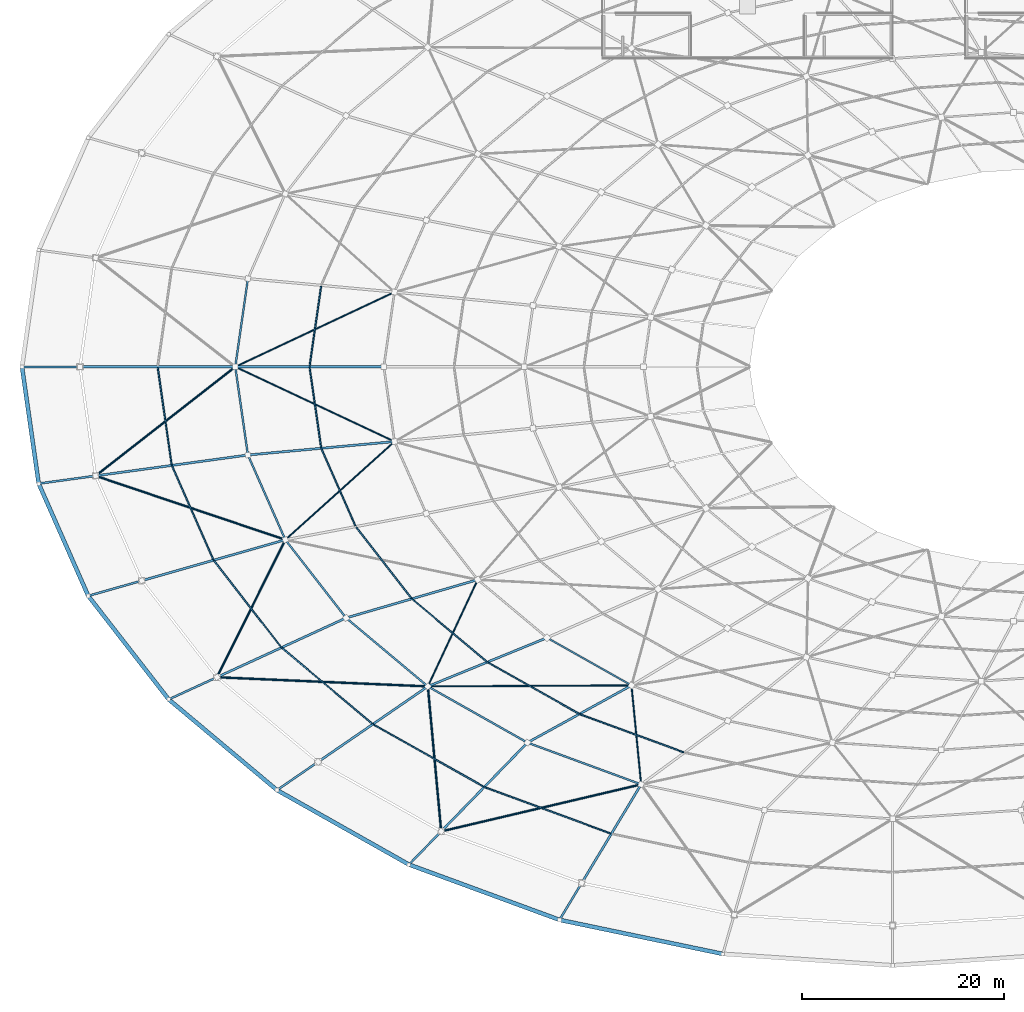
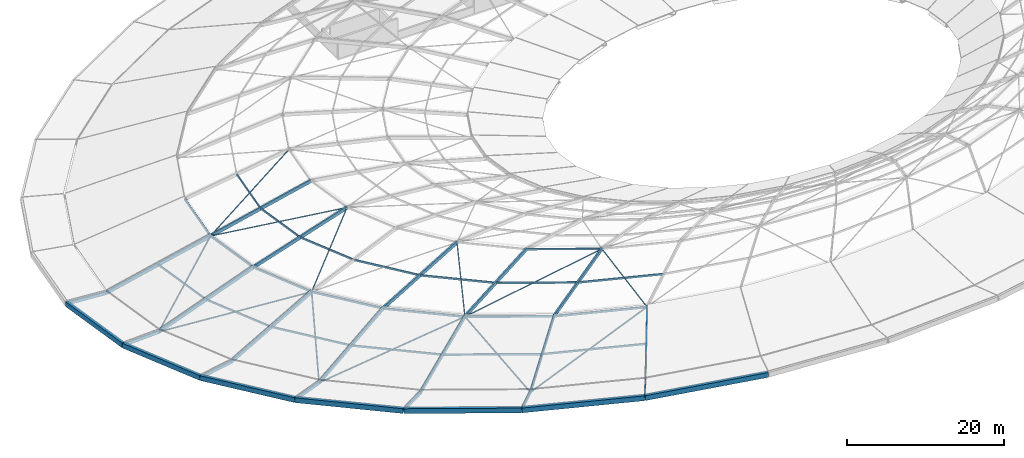
# One storey, part 1 of 30: 52 members, 7 beams.
"""IFC4 building model written with IfcOpenShell, lengths in metres."""

from ifc_helpers import new_model, si_unit, direction, frame, origin, origin_2d, place, context, subcontext, project, spatial, rectangle, hollow_rectangle, hollow_circle, extrude, material, material_profile, profile_set, type_object, element, save


model = new_model("IFC4")

# Units and contexts
model_context = context("Model", 3, precision=1e-05, world=origin(), true_north=direction((0.0, 1.0)))
body_context = subcontext(model_context, "Body", "Model", "MODEL_VIEW")
ifc_project = project(units=[si_unit("LENGTHUNIT", "METRE"), si_unit("AREAUNIT", "SQUARE_METRE"), si_unit("VOLUMEUNIT", "CUBIC_METRE"), si_unit("PLANEANGLEUNIT", "RADIAN"), si_unit("MASSUNIT", "GRAM", prefix="KILO")], contexts=[model_context])

# Site, building, storey
site_placement = place(None, origin())
site = spatial("IfcSite", under=ifc_project, at=site_placement, CompositionType="ELEMENT")
building_placement = place(site_placement, origin())
building = spatial("IfcBuilding", under=site, at=building_placement, Name="Namkhue Oval Health Centre", CompositionType="ELEMENT")
storey_placement = place(building_placement, frame((0.0, 0.0, 26.39990234375)))
storey = spatial("IfcBuildingStorey", under=building, at=storey_placement, Name="RF", CompositionType="ELEMENT", Elevation=26.39990234375)

# Beams
ifc_material_1 = material(Name="Precast architectural concrete C35/45 (TCVN B40)", Category="concrete")
ifc_material_profile_1 = material_profile(ifc_material_1, rectangle(XDim=0.39990234375, YDim=0.75, at=origin_2d()), Name="RC 400x750")
ifc_profile_set_1 = profile_set([ifc_material_profile_1], Name="Precast architectural concrete C35/45 (TCVN B40)")
beam_type = type_object("IfcBeamType", Name="CONCRETE EDGE BAND 400X750", PredefinedType="SPANDREL", material=ifc_profile_set_1)
beam_1_placement = place(storey_placement, frame((0.005615234375, 59.3603515625, 0.7001953125), z_axis=(0.141824096409, -0.989891875751, 0.0), x_axis=(0.989891875751, 0.141824096409, 0.0)))
element("IfcBeam", 1, at=beam_1_placement, inside=storey, type_object=beam_type, Name="Elliptical Roof Concrete Fascia Band 17", PredefinedType="SPANDREL", context=body_context, shape_type="SweptSolid", body=[
    extrude(rectangle(XDim=0.39990234375, YDim=0.75, at=origin_2d()), origin(), (0.0, 0.0, 1.0), 11.62646484375),
])
beam_2_placement = place(storey_placement, frame((1.67626953125, 47.77490234375, 0.7001953125), z_axis=(0.403693857048, -0.914894130368, 0.0), x_axis=(0.914894130368, 0.403693857048, 0.0)))
element("IfcBeam", 2, at=beam_2_placement, inside=storey, type_object=beam_type, Name="Elliptical Roof Concrete Fascia Band 18", PredefinedType="SPANDREL", context=body_context, shape_type="SweptSolid", body=[
    extrude(rectangle(XDim=0.39990234375, YDim=0.75, at=origin_2d()), origin(), (0.0, 0.0, 1.0), 12.099609375),
])
beam_3_placement = place(storey_placement, frame((6.601318359375, 36.636962890625, 0.7001953125), z_axis=(0.613799406543, -0.789462024753, 0.0), x_axis=(0.789462024753, 0.613799406543, 0.0)))
element("IfcBeam", 3, at=beam_3_placement, inside=storey, type_object=beam_type, Name="Elliptical Roof Concrete Fascia Band 19", PredefinedType="SPANDREL", context=body_context, shape_type="SweptSolid", body=[
    extrude(rectangle(XDim=0.39990234375, YDim=0.75, at=origin_2d()), origin(), (0.0, 0.0, 1.0), 12.92822265625),
])
beam_4_placement = place(storey_placement, frame((14.591796875, 26.373291015625, 0.7001953125), z_axis=(0.766570355171, -0.642160330893, 0.0), x_axis=(0.642160330893, 0.766570355171, 0.0)))
element("IfcBeam", 4, at=beam_4_placement, inside=storey, type_object=beam_type, Name="Elliptical Roof Concrete Fascia Band 20", PredefinedType="SPANDREL", context=body_context, shape_type="SweptSolid", body=[
    extrude(rectangle(XDim=0.39990234375, YDim=0.75, at=origin_2d()), origin(), (0.0, 0.0, 1.0), 13.936767578125),
])
beam_5_placement = place(storey_placement, frame((25.3408203125, 17.378173828125, 0.7001953125), z_axis=(0.870942993464, -0.491384067849, 0.0), x_axis=(0.491384067849, 0.870942993464, 0.0)))
element("IfcBeam", 5, at=beam_5_placement, inside=storey, type_object=beam_type, Name="Elliptical Roof Concrete Fascia Band 21", PredefinedType="SPANDREL", context=body_context, shape_type="SweptSolid", body=[
    extrude(rectangle(XDim=0.39990234375, YDim=0.75, at=origin_2d()), origin(), (0.0, 0.0, 1.0), 14.952880859375),
])
beam_6_placement = place(storey_placement, frame((38.436279296875, 9.996826171875, 0.7001953125), z_axis=(0.938632884907, -0.344917826982, 0.0), x_axis=(0.344917826982, 0.938632884907, 0.0)))
element("IfcBeam", 6, at=beam_6_placement, inside=storey, type_object=beam_type, Name="Elliptical Roof Concrete Fascia Band 22", PredefinedType="SPANDREL", context=body_context, shape_type="SweptSolid", body=[
    extrude(rectangle(XDim=0.39990234375, YDim=0.75, at=origin_2d()), origin(), (0.0, 0.0, 1.0), 15.833984375),
])
beam_7_placement = place(storey_placement, frame((53.375244140625, 4.513427734375, 0.7001953125), z_axis=(0.978935895164, -0.204167855351, 0.0), x_axis=(0.204167855351, 0.978935895164, 0.0)))
element("IfcBeam", 7, at=beam_7_placement, inside=storey, type_object=beam_type, Name="Elliptical Roof Concrete Fascia Band 23", PredefinedType="SPANDREL", context=body_context, shape_type="SweptSolid", body=[
    extrude(rectangle(XDim=0.39990234375, YDim=0.75, at=origin_2d()), origin(), (0.0, 0.0, 1.0), 16.476806640625),
])

# Members
ifc_material_2 = material(Name="Structural steel EN 10025-2 S355JR (TCVN 5575:2024)", Category="steel")
ifc_material_profile_2 = material_profile(ifc_material_2, hollow_circle(Radius=0.084228515625, WallThickness=0.008056640625, at=origin_2d()), Name="CHS 168.3x8")
ifc_profile_set_2 = profile_set([ifc_material_profile_2], Name="Structural steel EN 10025-2 S355JR (TCVN 5575:2024)")
member_type_1 = type_object("IfcMemberType", Name="DIAGONAL BRACE CHS 168", PredefinedType="BRACE", material=ifc_profile_set_2)
for number, where, z_axis, x_axis, name in (
    (8, (21.194580078125, 59.41259765625, 3.785888671875), (0.888516785702, 0.417103604899, 0.191213243019), (-0.4249444594, 0.905219424463, 0.0), "Gridshell Diagonal Brace K2-16"),
    (9, (21.194580078125, 59.387451171875, 3.785888671875), (0.888516785702, -0.417103604899, 0.191213243019), (0.4249444594, 0.905219424463, 0.0), "Gridshell Diagonal Brace K2-17"),
):
    element("IfcMember", number, at=place(storey_placement, frame(where, z_axis=z_axis, x_axis=x_axis)), inside=storey, type_object=member_type_1, Name=name, PredefinedType="BRACE", context=body_context, shape_type="SweptSolid", body=[
        extrude(hollow_circle(Radius=0.084228515625, WallThickness=0.008056640625, at=origin_2d()), origin(), (0.0, 0.0, 1.0), 17.720703125),
    ])
member_1_placement = place(storey_placement, frame((26.1552734375, 42.25732421875, 3.786865234375), z_axis=(0.723984856612, 0.651314430221, 0.227234329232), x_axis=(-0.668810437782, 0.743432981723, 0.0)))
element("IfcMember", 10, at=member_1_placement, inside=storey, type_object=member_type_1, Name="Gridshell Diagonal Brace K2-18", PredefinedType="BRACE", context=body_context, shape_type="SweptSolid", body=[
    extrude(hollow_circle(Radius=0.084228515625, WallThickness=0.008056640625, at=origin_2d()), origin(), (0.0, 0.0, 1.0), 14.903076171875),
])
member_2_placement = place(storey_placement, frame((40.2861328125, 27.714599609375, 3.78857421875), z_axis=(0.406515465719, 0.86992133198, 0.279252667483), x_axis=(-0.905962649367, 0.423357624181, 0.0)))
element("IfcMember", 11, at=member_2_placement, inside=storey, type_object=member_type_1, Name="Gridshell Diagonal Brace K2-20", PredefinedType="BRACE", context=body_context, shape_type="SweptSolid", body=[
    extrude(hollow_circle(Radius=0.084228515625, WallThickness=0.008056640625, at=origin_2d()), origin(), (0.0, 0.0, 1.0), 12.11474609375),
])
member_3_placement = place(storey_placement, frame((40.3037109375, 27.6884765625, 3.78515625), z_axis=(0.986124560537, 0.00500722498, 0.165931548548), x_axis=(-0.005077614564, 0.999987108832, 0.0)))
element("IfcMember", 12, at=member_3_placement, inside=storey, type_object=member_type_1, Name="Gridshell Diagonal Brace K2-21", PredefinedType="BRACE", context=body_context, shape_type="SweptSolid", body=[
    extrude(hollow_circle(Radius=0.084228515625, WallThickness=0.008056640625, at=origin_2d()), origin(), (0.0, 0.0, 1.0), 20.429443359375),
])
member_4_placement = place(storey_placement, frame((61.43408203125, 17.9951171875, 3.789794921875), z_axis=(-0.091730699509, 0.941015852808, 0.325691024641), x_axis=(-0.995282370952, -0.097020627042, 0.0)))
element("IfcMember", 13, at=member_4_placement, inside=storey, type_object=member_type_1, Name="Gridshell Diagonal Brace K2-22", PredefinedType="BRACE", context=body_context, shape_type="SweptSolid", body=[
    extrude(hollow_circle(Radius=0.084228515625, WallThickness=0.008056640625, at=origin_2d()), origin(), (0.0, 0.0, 1.0), 10.3798828125),
])
ifc_material_profile_3 = material_profile(ifc_material_2, hollow_circle(Radius=0.109619140625, WallThickness=0.010009765625, at=origin_2d()), Name="CHS 219.1x10")
ifc_profile_set_3 = profile_set([ifc_material_profile_3], Name="Structural steel EN 10025-2 S355JR (TCVN 5575:2024)")
member_type_2 = type_object("IfcMemberType", Name="DIAGONAL BRACE CHS 219", PredefinedType="BRACE", material=ifc_profile_set_3)
member_5_placement = place(storey_placement, frame((7.332763671875, 48.602294921875, 0.285888671875), z_axis=(0.773156638641, 0.603407661928, 0.195263938433), x_axis=(-0.615250790527, 0.788331443465, 0.0)))
element("IfcMember", 14, at=member_5_placement, inside=storey, type_object=member_type_2, Name="Gridshell Diagonal Brace K1-17", PredefinedType="BRACE", context=body_context, shape_type="SweptSolid", body=[
    extrude(hollow_circle(Radius=0.109619140625, WallThickness=0.010009765625, at=origin_2d()), origin(), (0.0, 0.0, 1.0), 17.864501953125),
])
member_6_placement = place(storey_placement, frame((7.33740234375, 48.57470703125, 0.285400390625), z_axis=(0.933223331811, -0.314623267822, 0.173511994713), x_axis=(0.319469052348, 0.947596709889, 0.0)))
element("IfcMember", 15, at=member_6_placement, inside=storey, type_object=member_type_2, Name="Gridshell Diagonal Brace K1-18", PredefinedType="BRACE", context=body_context, shape_type="SweptSolid", body=[
    extrude(hollow_circle(Radius=0.109619140625, WallThickness=0.010009765625, at=origin_2d()), origin(), (0.0, 0.0, 1.0), 20.111083984375),
])
member_7_placement = place(storey_placement, frame((19.36328125, 28.62548828125, 0.286865234375), z_axis=(0.434016963234, 0.872628440892, 0.223939455594), x_axis=(-0.895368051566, 0.445326904908, 0.0)))
element("IfcMember", 16, at=member_7_placement, inside=storey, type_object=member_type_2, Name="Gridshell Diagonal Brace K1-19", PredefinedType="BRACE", context=body_context, shape_type="SweptSolid", body=[
    extrude(hollow_circle(Radius=0.109619140625, WallThickness=0.010009765625, at=origin_2d()), origin(), (0.0, 0.0, 1.0), 15.5693359375),
])
member_8_placement = place(storey_placement, frame((19.3798828125, 28.597900390625, 0.284912109375), z_axis=(0.985387796484, -0.042892577935, 0.164836638216), x_axis=(0.043487447856, 0.999053973456, 0.0)))
element("IfcMember", 17, at=member_8_placement, inside=storey, type_object=member_type_2, Name="Gridshell Diagonal Brace K1-20", PredefinedType="BRACE", context=body_context, shape_type="SweptSolid", body=[
    extrude(hollow_circle(Radius=0.109619140625, WallThickness=0.010009765625, at=origin_2d()), origin(), (0.0, 0.0, 1.0), 21.173828125),
])
member_9_placement = place(storey_placement, frame((41.59619140625, 13.33251953125, 0.287109375), z_axis=(-0.089139339158, 0.967784403418, 0.235472985106), x_axis=(-0.995784986409, -0.091718377893, 0.0)))
element("IfcMember", 18, at=member_9_placement, inside=storey, type_object=member_type_2, Name="Gridshell Diagonal Brace K1-21", PredefinedType="BRACE", context=body_context, shape_type="SweptSolid", body=[
    extrude(hollow_circle(Radius=0.109619140625, WallThickness=0.010009765625, at=origin_2d()), origin(), (0.0, 0.0, 1.0), 14.803466796875),
])
member_10_placement = place(storey_placement, frame((41.627685546875, 13.31005859375, 0.28515625), z_axis=(0.959417449288, 0.225537703519, 0.169265774131), x_axis=(-0.228839759926, 0.973464105284, 0.0)))
element("IfcMember", 19, at=member_10_placement, inside=storey, type_object=member_type_2, Name="Gridshell Diagonal Brace K1-22", PredefinedType="BRACE", context=body_context, shape_type="SweptSolid", body=[
    extrude(hollow_circle(Radius=0.109619140625, WallThickness=0.010009765625, at=origin_2d()), origin(), (0.0, 0.0, 1.0), 20.616943359375),
])
ifc_material_3 = material(Name="Glulam timber GL28h", Category="wood")
ifc_material_profile_4 = material_profile(ifc_material_3, rectangle(XDim=0.219970703125, YDim=0.52001953125, at=origin_2d()), Name="GL28h 220x520")
ifc_profile_set_4 = profile_set([ifc_material_profile_4], Name="Glulam timber GL28h")
member_type_3 = type_object("IfcMemberType", Name="GRIDSHELL ARCH RIB GL28H 220X520", PredefinedType="USERDEFINED", material=ifc_profile_set_4)
member_11_placement = place(storey_placement, frame((5.760009765625, 59.39990234375, 0.300048828125), z_axis=(0.975157590278, 0.0, 0.221512243733), x_axis=(0.0, 1.0, 0.0)))
element("IfcMember", 20, at=member_11_placement, inside=storey, type_object=member_type_3, Name="Gridshell Glulam Arch Rib K1-17", ObjectType="ARCH_SEGMENT", PredefinedType="USERDEFINED", context=body_context, shape_type="SweptSolid", body=[
    extrude(rectangle(XDim=0.219970703125, YDim=0.52001953125, at=origin_2d()), origin(), (0.0, 0.0, 1.0), 15.800537109375),
])
member_12_placement = place(storey_placement, frame((21.16796875, 59.39990234375, 3.800048828125), z_axis=(0.974398269278, 0.0, 0.224828852304), x_axis=(0.0, 1.0, 0.0)))
element("IfcMember", 21, at=member_12_placement, inside=storey, type_object=member_type_3, Name="Gridshell Glulam Arch Rib K2-17", ObjectType="ARCH_SEGMENT", PredefinedType="USERDEFINED", context=body_context, shape_type="SweptSolid", body=[
    extrude(rectangle(XDim=0.219970703125, YDim=0.52001953125, at=origin_2d()), origin(), (0.0, 0.0, 1.0), 15.123291015625),
])
member_13_placement = place(storey_placement, frame((7.3095703125, 48.584228515625, 0.300048828125), z_axis=(0.965679210816, 0.132063629189, 0.223657907626), x_axis=(-0.135496054862, 0.990777885864, 0.0)))
element("IfcMember", 22, at=member_13_placement, inside=storey, type_object=member_type_3, Name="Gridshell Glulam Arch Rib K1-18", ObjectType="ARCH_SEGMENT", PredefinedType="USERDEFINED", context=body_context, shape_type="SweptSolid", body=[
    extrude(rectangle(XDim=0.219970703125, YDim=0.52001953125, at=origin_2d()), origin(), (0.0, 0.0, 1.0), 15.64892578125),
])
member_14_placement = place(storey_placement, frame((22.42138671875, 50.65087890625, 3.800048828125), z_axis=(0.969896613358, 0.088854687475, 0.226727598473), x_axis=(-0.09123049275, 0.995829803326, 0.0)))
element("IfcMember", 23, at=member_14_placement, inside=storey, type_object=member_type_3, Name="Gridshell Glulam Arch Rib K2-18", ObjectType="ARCH_SEGMENT", PredefinedType="USERDEFINED", context=body_context, shape_type="SweptSolid", body=[
    extrude(rectangle(XDim=0.219970703125, YDim=0.52001953125, at=origin_2d()), origin(), (0.0, 0.0, 1.0), 14.99658203125),
])
member_15_placement = place(storey_placement, frame((11.8984375, 38.18408203125, 0.300048828125), z_axis=(0.935951519575, 0.26652955959, 0.230123329697), x_axis=(-0.273880097908, 0.961763844179, 0.0)))
element("IfcMember", 24, at=member_15_placement, inside=storey, type_object=member_type_3, Name="Gridshell Glulam Arch Rib K1-19", ObjectType="ARCH_SEGMENT", PredefinedType="USERDEFINED", context=body_context, shape_type="SweptSolid", body=[
    extrude(rectangle(XDim=0.219970703125, YDim=0.52001953125, at=origin_2d()), origin(), (0.0, 0.0, 1.0), 15.209228515625),
])
member_16_placement = place(storey_placement, frame((19.350341796875, 28.59912109375, 0.300048828125), z_axis=(0.881933301609, 0.405143099926, 0.240941320855), x_axis=(-0.41744104465, 0.908704008048, 0.0)))
element("IfcMember", 25, at=member_16_placement, inside=storey, type_object=member_type_3, Name="Gridshell Glulam Arch Rib K1-20", ObjectType="ARCH_SEGMENT", PredefinedType="USERDEFINED", context=body_context, shape_type="SweptSolid", body=[
    extrude(rectangle(XDim=0.219970703125, YDim=0.52001953125, at=origin_2d()), origin(), (0.0, 0.0, 1.0), 14.5263671875),
])
member_17_placement = place(storey_placement, frame((32.16162109375, 34.484375, 3.800048828125), z_axis=(0.931617810783, 0.270691567638, 0.242516658893), x_axis=(-0.279021117685, 0.960284965979, 0.0)))
element("IfcMember", 26, at=member_17_placement, inside=storey, type_object=member_type_3, Name="Gridshell Glulam Arch Rib K2-20", ObjectType="ARCH_SEGMENT", PredefinedType="USERDEFINED", context=body_context, shape_type="SweptSolid", body=[
    extrude(rectangle(XDim=0.219970703125, YDim=0.52001953125, at=origin_2d()), origin(), (0.0, 0.0, 1.0), 14.020263671875),
])
member_18_placement = place(storey_placement, frame((29.37890625, 20.197998046875, 0.300048828125), z_axis=(0.796597676248, 0.547672059001, 0.255905173816), x_axis=(-0.566536659632, 0.824036536382, 0.0)))
element("IfcMember", 27, at=member_18_placement, inside=storey, type_object=member_type_3, Name="Gridshell Glulam Arch Rib K1-21", ObjectType="ARCH_SEGMENT", PredefinedType="USERDEFINED", context=body_context, shape_type="SweptSolid", body=[
    extrude(rectangle(XDim=0.219970703125, YDim=0.52001953125, at=origin_2d()), origin(), (0.0, 0.0, 1.0), 13.677001953125),
])
member_19_placement = place(storey_placement, frame((40.27392578125, 27.6884765625, 3.800048828125), z_axis=(0.894612694899, 0.365387756888, 0.257215694004), x_axis=(-0.37810962685, 0.925760827689, 0.0)))
element("IfcMember", 28, at=member_19_placement, inside=storey, type_object=member_type_3, Name="Gridshell Glulam Arch Rib K2-21", ObjectType="ARCH_SEGMENT", PredefinedType="USERDEFINED", context=body_context, shape_type="SweptSolid", body=[
    extrude(rectangle(XDim=0.219970703125, YDim=0.52001953125, at=origin_2d()), origin(), (0.0, 0.0, 1.0), 13.218994140625),
])
member_20_placement = place(storey_placement, frame((41.598876953125, 13.30322265625, 0.300048828125), z_axis=(0.670263747649, 0.689667024811, 0.274054562954), x_axis=(-0.717122679811, 0.696946957882, 0.0)))
element("IfcMember", 29, at=member_20_placement, inside=storey, type_object=member_type_3, Name="Gridshell Glulam Arch Rib K1-22", ObjectType="ARCH_SEGMENT", PredefinedType="USERDEFINED", context=body_context, shape_type="SweptSolid", body=[
    extrude(rectangle(XDim=0.219970703125, YDim=0.52001953125, at=origin_2d()), origin(), (0.0, 0.0, 1.0), 12.771240234375),
])
member_21_placement = place(storey_placement, frame((50.158935546875, 22.111083984375, 3.800048828125), z_axis=(0.84172824848, 0.463237272252, 0.277317120472), x_axis=(-0.482147862589, 0.876089857606, 0.0)))
element("IfcMember", 30, at=member_21_placement, inside=storey, type_object=member_type_3, Name="Gridshell Glulam Arch Rib K2-22", ObjectType="ARCH_SEGMENT", PredefinedType="USERDEFINED", context=body_context, shape_type="SweptSolid", body=[
    extrude(rectangle(XDim=0.219970703125, YDim=0.52001953125, at=origin_2d()), origin(), (0.0, 0.0, 1.0), 12.2607421875),
])
member_22_placement = place(storey_placement, frame((55.54052734375, 8.18017578125, 0.300048828125), z_axis=(0.493424598626, 0.818989626124, 0.292896155269), x_axis=(-0.856554457361, 0.516056645705, 0.0)))
element("IfcMember", 31, at=member_22_placement, inside=storey, type_object=member_type_3, Name="Gridshell Glulam Arch Rib K1-23", ObjectType="ARCH_SEGMENT", PredefinedType="USERDEFINED", context=body_context, shape_type="SweptSolid", body=[
    extrude(rectangle(XDim=0.219970703125, YDim=0.52001953125, at=origin_2d()), origin(), (0.0, 0.0, 1.0), 11.94970703125),
])
ifc_material_profile_5 = material_profile(ifc_material_3, rectangle(XDim=0.199951171875, YDim=0.47998046875, at=origin_2d()), Name="GL28h 200x480")
ifc_profile_set_5 = profile_set([ifc_material_profile_5], Name="Glulam timber GL28h")
member_type_4 = type_object("IfcMemberType", Name="GRIDSHELL CANTILEVER RIB GL28H 200X480", PredefinedType="USERDEFINED", material=ifc_profile_set_5)
member_23_placement = place(storey_placement, frame((0.0, 59.39990234375, 0.7001953125), z_axis=(0.99759567541, 0.0, -0.069302730132), x_axis=(0.0, 1.0, 0.0)))
element("IfcMember", 32, at=member_23_placement, inside=storey, type_object=member_type_4, Name="Gridshell Glulam Arch Rib K0-17", ObjectType="ARCH_SEGMENT", PredefinedType="USERDEFINED", context=body_context, shape_type="SweptSolid", body=[
    extrude(rectangle(XDim=0.199951171875, YDim=0.47998046875, at=origin_2d()), origin(), (0.0, 0.0, 1.0), 5.77392578125),
])
member_24_placement = place(storey_placement, frame((1.66015625, 47.8115234375, 0.7001953125), z_axis=(0.988344700047, 0.135181978204, -0.070004190293), x_axis=(-0.135514436133, 0.990775371918, 0.0)))
element("IfcMember", 33, at=member_24_placement, inside=storey, type_object=member_type_4, Name="Gridshell Glulam Arch Rib K0-18", ObjectType="ARCH_SEGMENT", PredefinedType="USERDEFINED", context=body_context, shape_type="SweptSolid", body=[
    extrude(rectangle(XDim=0.199951171875, YDim=0.47998046875, at=origin_2d()), origin(), (0.0, 0.0, 1.0), 5.716064453125),
])
member_25_placement = place(storey_placement, frame((6.576904296875, 36.668701171875, 0.7001953125), z_axis=(0.959259810829, 0.273162620811, -0.072130422992), x_axis=(-0.273876010696, 0.961765008079, 0.0)))
element("IfcMember", 34, at=member_25_placement, inside=storey, type_object=member_type_4, Name="Gridshell Glulam Arch Rib K0-19", ObjectType="ARCH_SEGMENT", PredefinedType="USERDEFINED", context=body_context, shape_type="SweptSolid", body=[
    extrude(rectangle(XDim=0.199951171875, YDim=0.47998046875, at=origin_2d()), origin(), (0.0, 0.0, 1.0), 5.547607421875),
])
member_26_placement = place(storey_placement, frame((14.56103515625, 26.399169921875, 0.7001953125), z_axis=(0.906107986713, 0.4162175189, -0.075705306123), x_axis=(-0.417415402789, 0.908715786984, 0.0)))
element("IfcMember", 35, at=member_26_placement, inside=storey, type_object=member_type_4, Name="Gridshell Glulam Arch Rib K0-20", ObjectType="ARCH_SEGMENT", PredefinedType="USERDEFINED", context=body_context, shape_type="SweptSolid", body=[
    extrude(rectangle(XDim=0.199951171875, YDim=0.47998046875, at=origin_2d()), origin(), (0.0, 0.0, 1.0), 5.28564453125),
])
member_27_placement = place(storey_placement, frame((25.305908203125, 17.39794921875, 0.7001953125), z_axis=(0.821367573853, 0.564662513009, -0.08069420689), x_axis=(-0.566509955726, 0.824054895054, 0.0)))
element("IfcMember", 36, at=member_27_placement, inside=storey, type_object=member_type_4, Name="Gridshell Glulam Arch Rib K0-21", ObjectType="ARCH_SEGMENT", PredefinedType="USERDEFINED", context=body_context, shape_type="SweptSolid", body=[
    extrude(rectangle(XDim=0.199951171875, YDim=0.47998046875, at=origin_2d()), origin(), (0.0, 0.0, 1.0), 4.958740234375),
])
member_28_placement = place(storey_placement, frame((38.398681640625, 10.0107421875, 0.7001953125), z_axis=(0.694353900231, 0.714377227534, -0.086820723412), x_axis=(-0.717084975019, 0.69698575208, 0.0)))
element("IfcMember", 37, at=member_28_placement, inside=storey, type_object=member_type_4, Name="Gridshell Glulam Arch Rib K0-22", ObjectType="ARCH_SEGMENT", PredefinedType="USERDEFINED", context=body_context, shape_type="SweptSolid", body=[
    extrude(rectangle(XDim=0.199951171875, YDim=0.47998046875, at=origin_2d()), origin(), (0.0, 0.0, 1.0), 4.60888671875),
])
member_29_placement = place(storey_placement, frame((53.336181640625, 4.521484375, 0.7001953125), z_axis=(0.513817025595, 0.852814480626, -0.093271248749), x_axis=(-0.856548401679, 0.516066696834, 0.0)))
element("IfcMember", 38, at=member_29_placement, inside=storey, type_object=member_type_4, Name="Gridshell Glulam Arch Rib K0-23", ObjectType="ARCH_SEGMENT", PredefinedType="USERDEFINED", context=body_context, shape_type="SweptSolid", body=[
    extrude(rectangle(XDim=0.199951171875, YDim=0.47998046875, at=origin_2d()), origin(), (0.0, 0.0, 1.0), 4.2900390625),
])
ifc_material_profile_6 = material_profile(ifc_material_2, hollow_rectangle(XDim=0.14990234375, YDim=0.25, WallThickness=0.008056640625, at=origin_2d()), Name="RHS 150x250x8")
ifc_profile_set_6 = profile_set([ifc_material_profile_6], Name="Structural steel EN 10025-2 S355JR (TCVN 5575:2024)")
member_type_5 = type_object("IfcMemberType", Name="GRIDSHELL HOOP PURLIN RHS 150X250", PredefinedType="PURLIN", material=ifc_profile_set_6)
member_30_placement = place(storey_placement, frame((52.152099609375, 32.489013671875, 7.2001953125), z_axis=(0.870942093584, -0.491385662819, 0.0), x_axis=(0.491385662819, 0.870942093584, 0.0)))
element("IfcMember", 39, at=member_30_placement, inside=storey, type_object=member_type_5, Name="Gridshell Hoop Purlin K3-21", PredefinedType="PURLIN", context=body_context, shape_type="SweptSolid", body=[
    extrude(hollow_rectangle(XDim=0.14990234375, YDim=0.25, WallThickness=0.008056640625, at=origin_2d()), origin(), (0.0, 0.0, 1.0), 9.5009765625),
])
ifc_material_profile_7 = material_profile(ifc_material_2, hollow_rectangle(XDim=0.179931640625, YDim=0.300048828125, WallThickness=0.010009765625, at=origin_2d()), Name="RHS 180x300x10")
ifc_profile_set_7 = profile_set([ifc_material_profile_7], Name="Structural steel EN 10025-2 S355JR (TCVN 5575:2024)")
member_type_6 = type_object("IfcMemberType", Name="GRIDSHELL HOOP PURLIN RHS 180X300", PredefinedType="PURLIN", material=ifc_profile_set_7)
for number, where, z_axis, x_axis, name in (
    (40, (22.412841796875, 68.08984375, 3.79443359375), (-0.141805542277, -0.989894533867, 0.0), (0.989894533867, -0.141805542277, 0.0), "Gridshell Hoop Purlin K2-16"),
    (41, (21.176513671875, 59.340576171875, 3.79443359375), (0.141805542277, -0.989894533867, 0.0), (0.989894533867, 0.141805542277, 0.0), "Gridshell Hoop Purlin K2-17"),
):
    element("IfcMember", number, at=place(storey_placement, frame(where, z_axis=z_axis, x_axis=x_axis)), inside=storey, type_object=member_type_6, Name=name, PredefinedType="PURLIN", context=body_context, shape_type="SweptSolid", body=[
        extrude(hollow_rectangle(XDim=0.179931640625, YDim=0.300048828125, WallThickness=0.010009765625, at=origin_2d()), origin(), (0.0, 0.0, 1.0), 8.718505859375),
    ])
member_31_placement = place(storey_placement, frame((22.445556640625, 50.595947265625, 3.792724609375), z_axis=(0.403698487315, -0.914892087265, 0.0), x_axis=(0.914892087265, 0.403698487315, 0.0)))
element("IfcMember", 42, at=member_31_placement, inside=storey, type_object=member_type_6, Name="Gridshell Hoop Purlin K2-18", PredefinedType="PURLIN", context=body_context, shape_type="SweptSolid", body=[
    extrude(hollow_rectangle(XDim=0.179931640625, YDim=0.300048828125, WallThickness=0.010009765625, at=origin_2d()), origin(), (0.0, 0.0, 1.0), 9.07568359375),
])
member_32_placement = place(storey_placement, frame((26.17041015625, 42.1904296875, 3.78955078125), z_axis=(0.613785537369, -0.789472807712, 0.0), x_axis=(0.789472807712, 0.613785537369, 0.0)))
element("IfcMember", 43, at=member_32_placement, inside=storey, type_object=member_type_6, Name="Gridshell Hoop Purlin K2-19", PredefinedType="PURLIN", context=body_context, shape_type="SweptSolid", body=[
    extrude(hollow_rectangle(XDim=0.179931640625, YDim=0.300048828125, WallThickness=0.010009765625, at=origin_2d()), origin(), (0.0, 0.0, 1.0), 9.700927734375),
])
member_33_placement = place(storey_placement, frame((32.20751953125, 34.44580078125, 3.78515625), z_axis=(0.766562390279, -0.642169838758, 0.0), x_axis=(0.642169838758, 0.766562390279, 0.0)))
element("IfcMember", 44, at=member_33_placement, inside=storey, type_object=member_type_6, Name="Gridshell Hoop Purlin K2-20", PredefinedType="PURLIN", context=body_context, shape_type="SweptSolid", body=[
    extrude(hollow_rectangle(XDim=0.179931640625, YDim=0.300048828125, WallThickness=0.010009765625, at=origin_2d()), origin(), (0.0, 0.0, 1.0), 10.462890625),
])
member_34_placement = place(storey_placement, frame((40.326416015625, 27.658935546875, 3.779541015625), z_axis=(0.870931469201, -0.491404493219, 0.0), x_axis=(0.491404493219, 0.870931469201, 0.0)))
element("IfcMember", 45, at=member_34_placement, inside=storey, type_object=member_type_6, Name="Gridshell Hoop Purlin K2-21", PredefinedType="PURLIN", context=body_context, shape_type="SweptSolid", body=[
    extrude(hollow_rectangle(XDim=0.179931640625, YDim=0.300048828125, WallThickness=0.010009765625, at=origin_2d()), origin(), (0.0, 0.0, 1.0), 11.229736328125),
])
member_35_placement = place(storey_placement, frame((50.21533203125, 22.09033203125, 3.773193359375), z_axis=(0.938635726109, -0.344910095057, 0.0), x_axis=(0.344910095057, 0.938635726109, 0.0)))
element("IfcMember", 46, at=member_35_placement, inside=storey, type_object=member_type_6, Name="Gridshell Hoop Purlin K2-22", PredefinedType="PURLIN", context=body_context, shape_type="SweptSolid", body=[
    extrude(hollow_rectangle(XDim=0.179931640625, YDim=0.300048828125, WallThickness=0.010009765625, at=origin_2d()), origin(), (0.0, 0.0, 1.0), 11.895263671875),
])
ifc_material_profile_8 = material_profile(ifc_material_3, rectangle(XDim=0.139892578125, YDim=0.280029296875, at=origin_2d()), Name="GL28h 140x280")
ifc_profile_set_8 = profile_set([ifc_material_profile_8], Name="Glulam timber GL28h")
member_type_7 = type_object("IfcMemberType", Name="GRIDSHELL SUB PURLIN GL28H 140X280", PredefinedType="PURLIN", material=ifc_profile_set_8)
member_36_placement = place(storey_placement, frame((13.475341796875, 59.32080078125, 2.050048828125), z_axis=(0.141804546879, -0.98989467646, 0.0), x_axis=(0.98989467646, 0.141804546879, 0.0)))
element("IfcMember", 47, at=member_36_placement, inside=storey, type_object=member_type_7, Name="Gridshell Secondary Purlin K1-17", PredefinedType="PURLIN", context=body_context, shape_type="SweptSolid", body=[
    extrude(rectangle(XDim=0.139892578125, YDim=0.280029296875, at=origin_2d()), origin(), (0.0, 0.0, 1.0), 9.72216796875),
])
member_37_placement = place(storey_placement, frame((14.897705078125, 49.544189453125, 2.050048828125), z_axis=(0.403693059538, -0.914894482266, 0.0), x_axis=(0.914894482266, 0.403693059538, 0.0)))
element("IfcMember", 48, at=member_37_placement, inside=storey, type_object=member_type_7, Name="Gridshell Secondary Purlin K1-18", PredefinedType="PURLIN", context=body_context, shape_type="SweptSolid", body=[
    extrude(rectangle(XDim=0.139892578125, YDim=0.280029296875, at=origin_2d()), origin(), (0.0, 0.0, 1.0), 10.121337890625),
])
member_38_placement = place(storey_placement, frame((19.06494140625, 40.147705078125, 2.050048828125), z_axis=(0.613796901297, -0.789463972552, 0.0), x_axis=(0.789463972552, 0.613796901297, 0.0)))
element("IfcMember", 49, at=member_38_placement, inside=storey, type_object=member_type_7, Name="Gridshell Secondary Purlin K1-19", PredefinedType="PURLIN", context=body_context, shape_type="SweptSolid", body=[
    extrude(rectangle(XDim=0.139892578125, YDim=0.280029296875, at=origin_2d()), origin(), (0.0, 0.0, 1.0), 10.82080078125),
])
member_39_placement = place(storey_placement, frame((25.8173828125, 31.490478515625, 2.050048828125), z_axis=(0.766559160307, -0.642173694377, 0.0), x_axis=(0.642173694377, 0.766559160307, 0.0)))
element("IfcMember", 50, at=member_39_placement, inside=storey, type_object=member_type_7, Name="Gridshell Secondary Purlin K1-20", PredefinedType="PURLIN", context=body_context, shape_type="SweptSolid", body=[
    extrude(rectangle(XDim=0.139892578125, YDim=0.280029296875, at=origin_2d()), origin(), (0.0, 0.0, 1.0), 11.672607421875),
])
member_40_placement = place(storey_placement, frame((34.89599609375, 23.90380859375, 2.050048828125), z_axis=(0.870944687312, -0.491381065614, 0.0), x_axis=(0.491381065614, 0.870944687312, 0.0)))
element("IfcMember", 51, at=member_40_placement, inside=storey, type_object=member_type_7, Name="Gridshell Secondary Purlin K1-21", PredefinedType="PURLIN", context=body_context, shape_type="SweptSolid", body=[
    extrude(rectangle(XDim=0.139892578125, YDim=0.280029296875, at=origin_2d()), origin(), (0.0, 0.0, 1.0), 12.530517578125),
])
member_41_placement = place(storey_placement, frame((45.9541015625, 17.6796875, 2.0498046875), z_axis=(0.938629175366, -0.344927921676, 0.0), x_axis=(0.344927921676, 0.938629175366, 0.0)))
element("IfcMember", 52, at=member_41_placement, inside=storey, type_object=member_type_7, Name="Gridshell Secondary Purlin K1-22", PredefinedType="PURLIN", context=body_context, shape_type="SweptSolid", body=[
    extrude(rectangle(XDim=0.139892578125, YDim=0.280029296875, at=origin_2d()), origin(), (0.0, 0.0, 1.0), 13.274169921875),
])
for number, where, z_axis, x_axis, name in (
    (53, (29.6826171875, 67.40380859375, 5.5), (-0.141809873903, -0.989893913338, 0.0), (0.989893913338, -0.141809873903, 0.0), "Gridshell Secondary Purlin K2-16"),
    (54, (28.54736328125, 59.32080078125, 5.5), (0.141809873903, -0.989893913338, 0.0), (0.989893913338, 0.141809873903, 0.0), "Gridshell Secondary Purlin K2-17"),
):
    element("IfcMember", number, at=place(storey_placement, frame(where, z_axis=z_axis, x_axis=x_axis)), inside=storey, type_object=member_type_7, Name=name, PredefinedType="PURLIN", context=body_context, shape_type="SweptSolid", body=[
        extrude(rectangle(XDim=0.139892578125, YDim=0.280029296875, at=origin_2d()), origin(), (0.0, 0.0, 1.0), 8.00537109375),
    ])
member_42_placement = place(storey_placement, frame((29.726318359375, 51.243896484375, 5.5), z_axis=(0.403674819817, -0.914902530243, 0.0), x_axis=(0.914902530243, 0.403674819817, 0.0)))
element("IfcMember", 55, at=member_42_placement, inside=storey, type_object=member_type_7, Name="Gridshell Secondary Purlin K2-18", PredefinedType="PURLIN", context=body_context, shape_type="SweptSolid", body=[
    extrude(rectangle(XDim=0.139892578125, YDim=0.280029296875, at=origin_2d()), origin(), (0.0, 0.0, 1.0), 8.335205078125),
])
member_43_placement = place(storey_placement, frame((33.17236328125, 43.481689453125, 5.5), z_axis=(0.613802174793, -0.789459872457, 0.0), x_axis=(0.789459872457, 0.613802174793, 0.0)))
element("IfcMember", 56, at=member_43_placement, inside=storey, type_object=member_type_7, Name="Gridshell Secondary Purlin K2-19", PredefinedType="PURLIN", context=body_context, shape_type="SweptSolid", body=[
    extrude(rectangle(XDim=0.139892578125, YDim=0.280029296875, at=origin_2d()), origin(), (0.0, 0.0, 1.0), 8.913330078125),
])
member_44_placement = place(storey_placement, frame((38.753662109375, 36.33056640625, 5.5), z_axis=(0.766551892239, -0.64218237013, 0.0), x_axis=(0.64218237013, 0.766551892239, 0.0)))
element("IfcMember", 57, at=member_44_placement, inside=storey, type_object=member_type_7, Name="Gridshell Secondary Purlin K2-20", PredefinedType="PURLIN", context=body_context, shape_type="SweptSolid", body=[
    extrude(rectangle(XDim=0.139892578125, YDim=0.280029296875, at=origin_2d()), origin(), (0.0, 0.0, 1.0), 9.616943359375),
])
member_45_placement = place(storey_placement, frame((46.256591796875, 30.064208984375, 5.4951171875), z_axis=(0.870935138225, -0.491397990437, 0.0), x_axis=(0.491397990437, 0.870935138225, 0.0)))
element("IfcMember", 58, at=member_45_placement, inside=storey, type_object=member_type_7, Name="Gridshell Secondary Purlin K2-21", PredefinedType="PURLIN", context=body_context, shape_type="SweptSolid", body=[
    extrude(rectangle(XDim=0.139892578125, YDim=0.280029296875, at=origin_2d()), origin(), (0.0, 0.0, 1.0), 10.32568359375),
])
member_46_placement = place(storey_placement, frame((55.394287109375, 24.92333984375, 5.48876953125), z_axis=(0.938630836886, -0.344923400259, 0.0), x_axis=(0.344923400259, 0.938630836886, 0.0)))
element("IfcMember", 59, at=member_46_placement, inside=storey, type_object=member_type_7, Name="Gridshell Secondary Purlin K2-22", PredefinedType="PURLIN", context=body_context, shape_type="SweptSolid", body=[
    extrude(rectangle(XDim=0.139892578125, YDim=0.280029296875, at=origin_2d()), origin(), (0.0, 0.0, 1.0), 10.93994140625),
])

save(model, "model.ifc")
